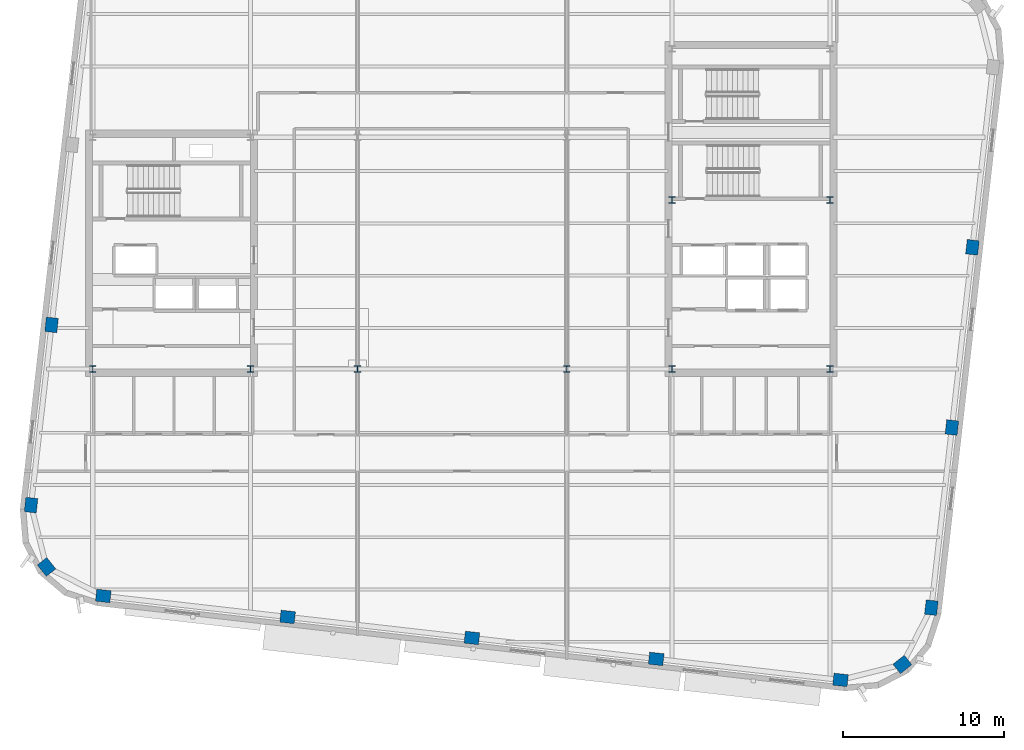
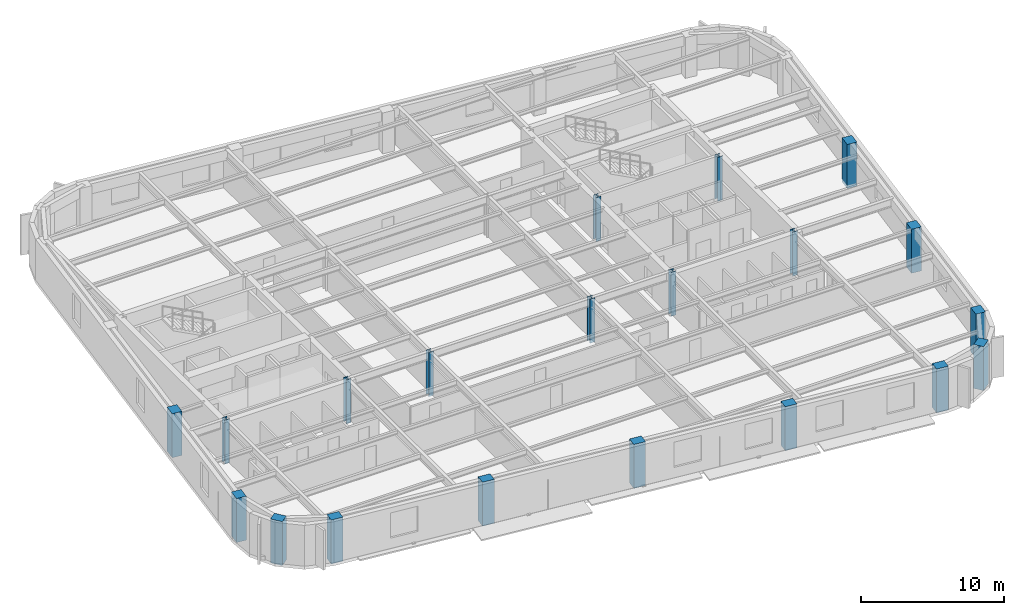
# One storey, part 1 of 14: 20 columns.
"""IFC4 building model written with IfcOpenShell, lengths in metres."""

from ifc_helpers import new_model, si_unit, direction, frame, origin, origin_2d, place, context, subcontext, project, spatial, rectangle, i_section, extrude, material, material_profile, profile_set, type_object, element, save


model = new_model("IFC4")

# Units and contexts
model_context = context("Model", 3, precision=1e-05, world=origin(), true_north=direction((0.0, 1.0)))
body_context = subcontext(model_context, "Body", "Model", "MODEL_VIEW")
ifc_project = project(units=[si_unit("LENGTHUNIT", "METRE"), si_unit("AREAUNIT", "SQUARE_METRE"), si_unit("VOLUMEUNIT", "CUBIC_METRE"), si_unit("PLANEANGLEUNIT", "RADIAN"), si_unit("MASSUNIT", "GRAM", prefix="KILO")], contexts=[model_context])

# Site, building, storey
site_placement = place(None, origin())
site = spatial("IfcSite", under=ifc_project, at=site_placement, CompositionType="ELEMENT")
building_placement = place(site_placement, origin())
building = spatial("IfcBuilding", under=site, at=building_placement, Name="Kolvaren Arena Tower", CompositionType="ELEMENT")
storey_placement = place(building_placement, frame((0.0, 0.0, 235.949951171875)))
storey = spatial("IfcBuildingStorey", under=building, at=storey_placement, Name="L57", CompositionType="ELEMENT", Elevation=235.949951171875)

# Columns
ifc_material_1 = material(Name="Precast concrete C55/67", Category="concrete")
ifc_material_profile_1 = material_profile(ifc_material_1, rectangle(XDim=0.89990234375, YDim=0.75, at=origin_2d()), Name="RC-900x750")
ifc_profile_set_1 = profile_set([ifc_material_profile_1], Name="Precast concrete C55/67")
column_type_1 = type_object("IfcColumnType", Name="EXCOL-Z4", PredefinedType="COLUMN", material=ifc_profile_set_1)
for number, where, z_axis, x_axis, name in (
    (1, (15.207763671875, 5.350830078125, -0.27001953125), (0.0, 0.0, 1.0), (0.993571855677, -0.113203213768, 0.0), "Exoskeleton Perimeter Column 01 (L57)"),
    (2, (26.65869140625, 4.046142578125, -0.27001953125), (0.0, 0.0, 1.0), (0.993571855677, -0.113203213768, 0.0), "Exoskeleton Perimeter Column 02 (L57)"),
    (3, (38.109619140625, 2.741455078125, -0.27001953125), (0.0, 0.0, 1.0), (0.993571855677, -0.113203213768, 0.0), "Exoskeleton Perimeter Column 03 (L57)"),
    (4, (49.560302734375, 1.436767578125, -0.27001953125), (0.0, 0.0, 1.0), (0.993571855677, -0.113203213768, 0.0), "Exoskeleton Perimeter Column 04 (L57)"),
    (5, (61.011474609375, 0.132080078125, -0.27001953125), (0.0, 0.0, 1.0), (0.993571855677, -0.113203213768, 0.0), "Exoskeleton Perimeter Column 05 (L57)"),
    (6, (64.853759765625, 1.094482421875, -0.27001953125), (0.0, 0.0, 1.0), (0.782608156852, 0.622514636638, 0.0), "Exoskeleton Perimeter Column 06 (L57)"),
    (7, (66.656005859375, 4.6220703125, -0.27001953125), (0.0, 0.0, 1.0), (0.113203213768, 0.993571855677, 0.0), "Exoskeleton Perimeter Column 07 (L57)"),
    (8, (67.931396484375, 15.816162109375, -0.27001953125), (0.0, 0.0, 1.0), (0.113203213768, 0.993571855677, 0.0), "Exoskeleton Perimeter Column 08 (L57)"),
    (9, (69.206787109375, 27.010498046875, -0.27001953125), (0.0, 0.0, 1.0), (0.113203213768, 0.993571855677, 0.0), "Exoskeleton Perimeter Column 09 (L57)"),
    (10, (11.9931640625, 22.189453125, -0.27001953125), (0.0, 0.0, 1.0), (0.113203213768, 0.993571855677, 0.0), "Exoskeleton Perimeter Column 20 (L57)"),
    (11, (10.7177734375, 10.995361328125, -0.27001953125), (0.0, 0.0, 1.0), (0.113203213768, 0.993571855677, 0.0), "Exoskeleton Perimeter Column 21 (L57)"),
    (12, (11.680419921875, 7.15283203125, -0.27001953125), (0.0, 0.0, 1.0), (-0.622514636638, 0.782608156852, 0.0), "Exoskeleton Perimeter Column 22 (L57)"),
):
    element("IfcColumn", number, at=place(storey_placement, frame(where, z_axis=z_axis, x_axis=x_axis)), inside=storey, type_object=column_type_1, Name=name, PredefinedType="COLUMN", context=body_context, shape_type="SweptSolid", body=[
        extrude(rectangle(XDim=0.89990234375, YDim=0.75, at=origin_2d()), origin(), (0.0, 0.0, 1.0), 3.75),
    ])
ifc_material_2 = material(Name="Steel ASTM A913 Grade 65", Category="steel")
ifc_material_profile_2 = material_profile(ifc_material_2, i_section(OverallWidth=0.39892578125, OverallDepth=0.39306640625, WebThickness=0.022705078125, FlangeThickness=0.03662109375, FilletRadius=0.02001953125, at=origin_2d()), Name="W360x287")
ifc_profile_set_2 = profile_set([ifc_material_profile_2], Name="Steel ASTM A913 Grade 65")
column_type_2 = type_object("IfcColumnType", Name="SCOL-Z4", PredefinedType="COLUMN", material=ifc_profile_set_2)
for number, where, z_axis, x_axis, name in (
    (13, (14.550048828125, 19.449951171875, -0.27001953125), (0.0, 0.0, 1.0), (1.0, 0.0, 0.0), "Core Boundary Column WC-SW (L57)"),
    (14, (24.35009765625, 19.449951171875, -0.27001953125), (0.0, 0.0, 1.0), (1.0, 0.0, 0.0), "Core Boundary Column WC-SE (L57)"),
    (15, (50.550048828125, 19.449951171875, -0.27001953125), (0.0, 0.0, 1.0), (1.0, 0.0, 0.0), "Core Boundary Column EC-SW (L57)"),
    (16, (60.35009765625, 19.449951171875, -0.27001953125), (0.0, 0.0, 1.0), (1.0, 0.0, 0.0), "Core Boundary Column EC-SE (L57)"),
    (17, (50.550048828125, 29.949951171875, -0.27001953125), (0.0, 0.0, 1.0), (1.0, 0.0, 0.0), "Core Boundary Column EC-MW (L57)"),
    (18, (60.35009765625, 29.949951171875, -0.27001953125), (0.0, 0.0, 1.0), (1.0, 0.0, 0.0), "Core Boundary Column EC-ME (L57)"),
    (19, (31.0, 19.449951171875, -0.27001953125), (0.0, 0.0, 1.0), (1.0, 0.0, 0.0), "Interior Gravity Column TC-SW (L57)"),
    (20, (44.0, 19.449951171875, -0.27001953125), (0.0, 0.0, 1.0), (1.0, 0.0, 0.0), "Interior Gravity Column TC-SE (L57)"),
):
    element("IfcColumn", number, at=place(storey_placement, frame(where, z_axis=z_axis, x_axis=x_axis)), inside=storey, type_object=column_type_2, Name=name, PredefinedType="COLUMN", context=body_context, shape_type="SweptSolid", body=[
        extrude(i_section(OverallWidth=0.39892578125, OverallDepth=0.39306640625, WebThickness=0.022705078125, FlangeThickness=0.03662109375, FilletRadius=0.02001953125, at=origin_2d()), origin(), (0.0, 0.0, 1.0), 3.75),
    ])

save(model, "model.ifc")
